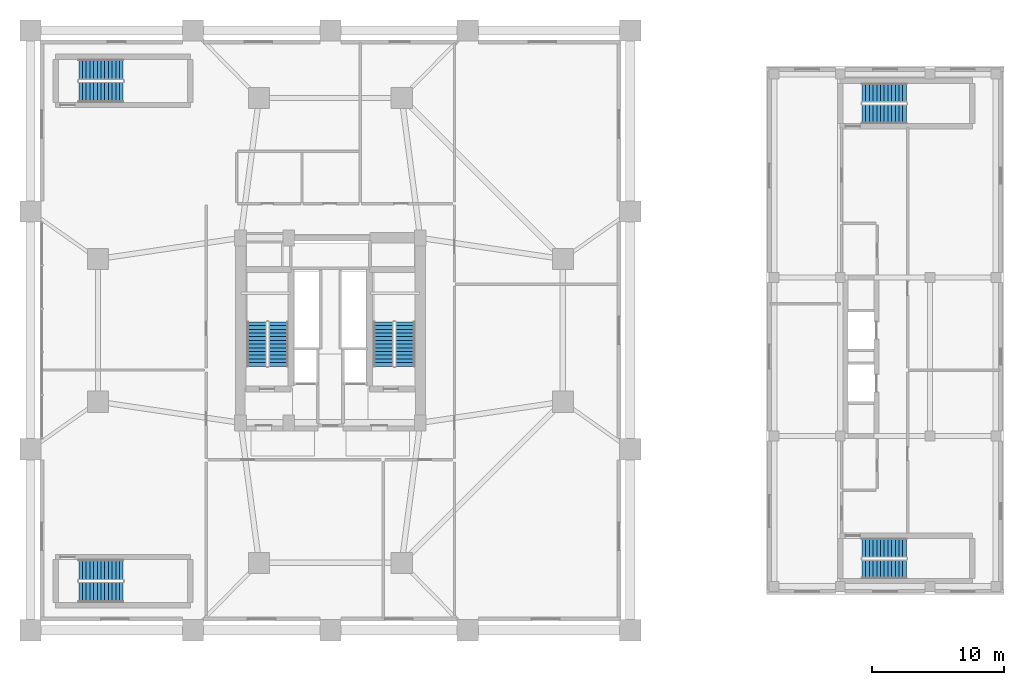
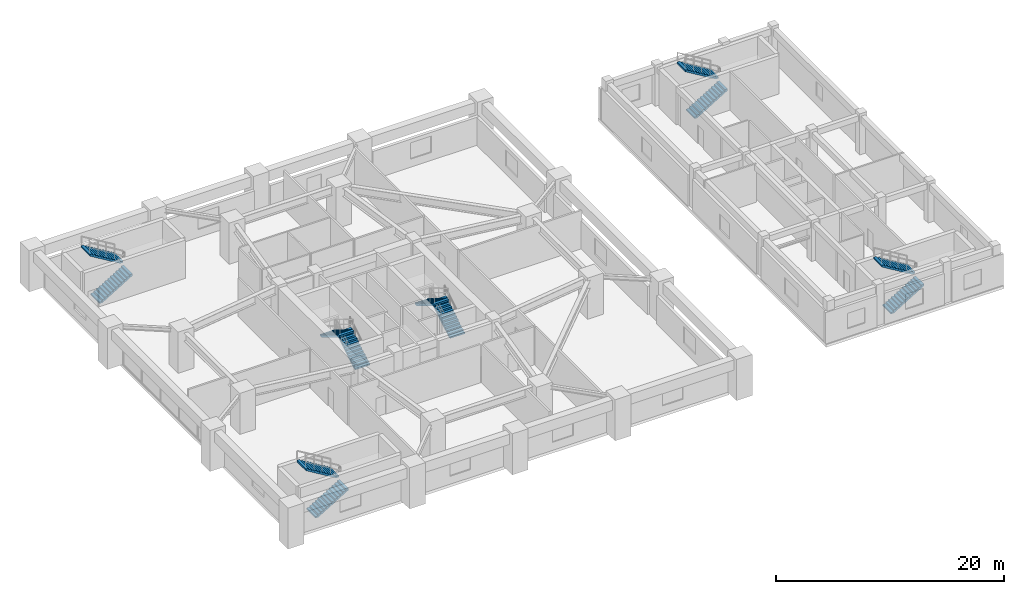
# One storey, part 12 of 16: 12 stair flights, 6 elements without a shape of their own.
"""IFC4 building model written with IfcOpenShell, lengths in metres."""

from ifc_helpers import new_model, si_unit, direction, frame, origin, place, context, subcontext, project, spatial, polyline, outline, extrude, material, type_object, element, aggregate, save


model = new_model("IFC4")

# Units and contexts
model_context = context("Model", 3, precision=1e-05, world=origin(), true_north=direction((0.0, 1.0)))
body_context = subcontext(model_context, "Body", "Model", "MODEL_VIEW")
ifc_project = project(units=[si_unit("LENGTHUNIT", "METRE"), si_unit("AREAUNIT", "SQUARE_METRE"), si_unit("VOLUMEUNIT", "CUBIC_METRE"), si_unit("PLANEANGLEUNIT", "RADIAN"), si_unit("MASSUNIT", "GRAM", prefix="KILO")], contexts=[model_context])

# Site, building, storey
site_placement = place(None, origin())
site = spatial("IfcSite", under=ifc_project, at=site_placement, CompositionType="ELEMENT")
building_placement = place(site_placement, origin())
building = spatial("IfcBuilding", under=site, at=building_placement, Name="Veraguas Prism Commons", CompositionType="ELEMENT")
storey_placement = place(building_placement, frame((0.0, 0.0, 9.60009765625)))
storey = spatial("IfcBuildingStorey", under=building, at=storey_placement, Name="L02", CompositionType="ELEMENT", Elevation=9.60009765625)

# Stair, stair flights
ifc_material = material(Name="Precast concrete C45/55", Category="concrete")
stair_type_1 = type_object("IfcStairType", Name="Dogleg Core Stair 1450W 26R 14", PredefinedType="HALF_TURN_STAIR", material=ifc_material)
stair_1_placement = place(storey_placement, origin())
stair_1 = element("IfcStair", 1, at=stair_1_placement, inside=storey, type_object=stair_type_1, Name="Protected Exit Stair ST-H1 L02", PredefinedType="HALF_TURN_STAIR")
stair_flight_type_1 = type_object("IfcStairFlightType", Name="Precast Stair Flight 1450W 13R 14", PredefinedType="STRAIGHT", material=ifc_material)
stair_flight_1_placement = place(storey_placement, frame((64.25, 5.925048828125, 0.0), z_axis=(0.0, 0.0, 1.0), x_axis=(1.0, 0.0, 0.0)))
stair_flight_1 = element("IfcStairFlight", 2, at=stair_flight_1_placement, type_object=stair_flight_type_1, Name="ST-14 Flight 1", NumberOfRisers=13, NumberOfTreads=12, PredefinedType="STRAIGHT", RiserHeight=0.169230769, TreadLength=0.28, context=body_context, shape_type="SweptSolid", body=[
    extrude(outline(polyline([(0.0, 0.0), (0.0, 0.169189453125), (0.280029296875, 0.169189453125), (0.280029296875, 0.33837890625), (0.56005859375, 0.33837890625), (0.56005859375, 0.5078125), (0.840087890625, 0.5078125), (0.840087890625, 0.677001953125), (1.1201171875, 0.677001953125), (1.1201171875, 0.84619140625), (1.39990234375, 0.84619140625), (1.39990234375, 1.015380859375), (1.679931640625, 1.015380859375), (1.679931640625, 1.1845703125), (1.9599609375, 1.1845703125), (1.9599609375, 1.353759765625), (2.239990234375, 1.353759765625), (2.239990234375, 1.523193359375), (2.52001953125, 1.523193359375), (2.52001953125, 1.6923828125), (2.800048828125, 1.6923828125), (2.800048828125, 1.861572265625), (3.080078125, 1.861572265625), (3.080078125, 2.03076171875), (3.360107421875, 2.03076171875), (3.360107421875, 2.199951171875), (3.360107421875, 1.855712890625), (0.289794921875, 0.0), (0.0, 0.0)])), frame((0.0, 0.72509765625, 0.0), z_axis=(0.0, -1.0, 0.0), x_axis=(1.0, 0.0, 0.0)), (0.0, 0.0, 1.0), 1.449951171875),
])
stair_flight_2_placement = place(storey_placement, frame((67.610107421875, 7.52490234375, 2.199951171875), z_axis=(0.0, 0.0, 1.0), x_axis=(-1.0, 0.0, 0.0)))
stair_flight_2 = element("IfcStairFlight", 3, at=stair_flight_2_placement, type_object=stair_flight_type_1, Name="ST-14 Flight 2", NumberOfRisers=13, NumberOfTreads=12, PredefinedType="STRAIGHT", RiserHeight=0.169230769, TreadLength=0.28, context=body_context, shape_type="SweptSolid", body=[
    extrude(outline(polyline([(0.0, 0.0), (0.0, 0.169189453125), (0.280029296875, 0.169189453125), (0.280029296875, 0.33837890625), (0.56005859375, 0.33837890625), (0.56005859375, 0.5078125), (0.840087890625, 0.5078125), (0.840087890625, 0.677001953125), (1.1201171875, 0.677001953125), (1.1201171875, 0.84619140625), (1.39990234375, 0.84619140625), (1.39990234375, 1.015380859375), (1.679931640625, 1.015380859375), (1.679931640625, 1.1845703125), (1.9599609375, 1.1845703125), (1.9599609375, 1.353759765625), (2.239990234375, 1.353759765625), (2.239990234375, 1.523193359375), (2.52001953125, 1.523193359375), (2.52001953125, 1.6923828125), (2.800048828125, 1.6923828125), (2.800048828125, 1.861572265625), (3.080078125, 1.861572265625), (3.080078125, 2.03076171875), (3.360107421875, 2.03076171875), (3.360107421875, 2.199951171875), (3.360107421875, 1.855712890625), (0.289794921875, 0.0), (0.0, 0.0)])), frame((0.0, 0.72509765625, 0.0), z_axis=(0.0, -1.0, 0.0), x_axis=(1.0, 0.0, 0.0)), (0.0, 0.0, 1.0), 1.449951171875),
])
aggregate(stair_1, [stair_flight_1, stair_flight_2])

stair_2_placement = place(storey_placement, origin())
stair_2 = element("IfcStair", 4, at=stair_2_placement, inside=storey, type_object=stair_type_1, Name="Protected Exit Stair ST-H2 L02", PredefinedType="HALF_TURN_STAIR")
stair_flight_3_placement = place(storey_placement, frame((64.25, 40.385009765625, 0.0), z_axis=(0.0, 0.0, 1.0), x_axis=(1.0, 0.0, 0.0)))
stair_flight_3 = element("IfcStairFlight", 5, at=stair_flight_3_placement, type_object=stair_flight_type_1, Name="ST-14 Flight 1", NumberOfRisers=13, NumberOfTreads=12, PredefinedType="STRAIGHT", RiserHeight=0.169230769, TreadLength=0.28, context=body_context, shape_type="SweptSolid", body=[
    extrude(outline(polyline([(0.0, 0.0), (0.0, 0.169189453125), (0.280029296875, 0.169189453125), (0.280029296875, 0.33837890625), (0.56005859375, 0.33837890625), (0.56005859375, 0.5078125), (0.840087890625, 0.5078125), (0.840087890625, 0.677001953125), (1.1201171875, 0.677001953125), (1.1201171875, 0.84619140625), (1.39990234375, 0.84619140625), (1.39990234375, 1.015380859375), (1.679931640625, 1.015380859375), (1.679931640625, 1.1845703125), (1.9599609375, 1.1845703125), (1.9599609375, 1.353759765625), (2.239990234375, 1.353759765625), (2.239990234375, 1.523193359375), (2.52001953125, 1.523193359375), (2.52001953125, 1.6923828125), (2.800048828125, 1.6923828125), (2.800048828125, 1.861572265625), (3.080078125, 1.861572265625), (3.080078125, 2.03076171875), (3.360107421875, 2.03076171875), (3.360107421875, 2.199951171875), (3.360107421875, 1.855712890625), (0.289794921875, 0.0), (0.0, 0.0)])), frame((0.0, 0.72509765625, 0.0), z_axis=(0.0, -1.0, 0.0), x_axis=(1.0, 0.0, 0.0)), (0.0, 0.0, 1.0), 1.449951171875),
])
stair_flight_4_placement = place(storey_placement, frame((67.610107421875, 41.985107421875, 2.199951171875), z_axis=(0.0, 0.0, 1.0), x_axis=(-1.0, 0.0, 0.0)))
stair_flight_4 = element("IfcStairFlight", 6, at=stair_flight_4_placement, type_object=stair_flight_type_1, Name="ST-14 Flight 2", NumberOfRisers=13, NumberOfTreads=12, PredefinedType="STRAIGHT", RiserHeight=0.169230769, TreadLength=0.28, context=body_context, shape_type="SweptSolid", body=[
    extrude(outline(polyline([(0.0, 0.0), (0.0, 0.169189453125), (0.280029296875, 0.169189453125), (0.280029296875, 0.33837890625), (0.56005859375, 0.33837890625), (0.56005859375, 0.5078125), (0.840087890625, 0.5078125), (0.840087890625, 0.677001953125), (1.1201171875, 0.677001953125), (1.1201171875, 0.84619140625), (1.39990234375, 0.84619140625), (1.39990234375, 1.015380859375), (1.679931640625, 1.015380859375), (1.679931640625, 1.1845703125), (1.9599609375, 1.1845703125), (1.9599609375, 1.353759765625), (2.239990234375, 1.353759765625), (2.239990234375, 1.523193359375), (2.52001953125, 1.523193359375), (2.52001953125, 1.6923828125), (2.800048828125, 1.6923828125), (2.800048828125, 1.861572265625), (3.080078125, 1.861572265625), (3.080078125, 2.03076171875), (3.360107421875, 2.03076171875), (3.360107421875, 2.199951171875), (3.360107421875, 1.855712890625), (0.289794921875, 0.0), (0.0, 0.0)])), frame((0.0, 0.72509765625, 0.0), z_axis=(0.0, -1.0, 0.0), x_axis=(1.0, 0.0, 0.0)), (0.0, 0.0, 1.0), 1.449951171875),
])
aggregate(stair_2, [stair_flight_3, stair_flight_4])

stair_type_2 = type_object("IfcStairType", Name="Dogleg Core Stair 1480W 26R 03", PredefinedType="HALF_TURN_STAIR", material=ifc_material)
stair_3_placement = place(storey_placement, origin())
stair_3 = element("IfcStair", 7, at=stair_3_placement, inside=storey, type_object=stair_type_2, Name="Protected Exit Stair ST-01 L02", PredefinedType="HALF_TURN_STAIR")
stair_flight_type_2 = type_object("IfcStairFlightType", Name="Precast Stair Flight 1480W 13R 03", PredefinedType="STRAIGHT", material=ifc_material)
stair_flight_5_placement = place(storey_placement, frame((20.06005859375, 21.280029296875, 0.0), z_axis=(0.0, 0.0, 1.0), x_axis=(0.0, 1.0, 0.0)))
stair_flight_5 = element("IfcStairFlight", 8, at=stair_flight_5_placement, type_object=stair_flight_type_2, Name="ST-03 Flight 1", NumberOfRisers=13, NumberOfTreads=12, PredefinedType="STRAIGHT", RiserHeight=0.169230769, TreadLength=0.28, context=body_context, shape_type="SweptSolid", body=[
    extrude(outline(polyline([(0.0, 0.0), (0.0, 0.169189453125), (0.280029296875, 0.169189453125), (0.280029296875, 0.33837890625), (0.56005859375, 0.33837890625), (0.56005859375, 0.5078125), (0.840087890625, 0.5078125), (0.840087890625, 0.677001953125), (1.1201171875, 0.677001953125), (1.1201171875, 0.84619140625), (1.39990234375, 0.84619140625), (1.39990234375, 1.015380859375), (1.679931640625, 1.015380859375), (1.679931640625, 1.1845703125), (1.9599609375, 1.1845703125), (1.9599609375, 1.353759765625), (2.239990234375, 1.353759765625), (2.239990234375, 1.523193359375), (2.52001953125, 1.523193359375), (2.52001953125, 1.6923828125), (2.800048828125, 1.6923828125), (2.800048828125, 1.861572265625), (3.080078125, 1.861572265625), (3.080078125, 2.03076171875), (3.360107421875, 2.03076171875), (3.360107421875, 2.199951171875), (3.360107421875, 1.855712890625), (0.289794921875, 0.0), (0.0, 0.0)])), frame((0.0, 0.739990234375, 0.0), z_axis=(0.0, -1.0, 0.0), x_axis=(1.0, 0.0, 0.0)), (0.0, 0.0, 1.0), 1.47998046875),
])
stair_flight_6_placement = place(storey_placement, frame((18.429931640625, 24.639892578125, 2.199951171875), z_axis=(0.0, 0.0, 1.0), x_axis=(0.0, -1.0, 0.0)))
stair_flight_6 = element("IfcStairFlight", 9, at=stair_flight_6_placement, type_object=stair_flight_type_2, Name="ST-03 Flight 2", NumberOfRisers=13, NumberOfTreads=12, PredefinedType="STRAIGHT", RiserHeight=0.169230769, TreadLength=0.28, context=body_context, shape_type="SweptSolid", body=[
    extrude(outline(polyline([(0.0, 0.0), (0.0, 0.169189453125), (0.280029296875, 0.169189453125), (0.280029296875, 0.33837890625), (0.56005859375, 0.33837890625), (0.56005859375, 0.5078125), (0.840087890625, 0.5078125), (0.840087890625, 0.677001953125), (1.1201171875, 0.677001953125), (1.1201171875, 0.84619140625), (1.39990234375, 0.84619140625), (1.39990234375, 1.015380859375), (1.679931640625, 1.015380859375), (1.679931640625, 1.1845703125), (1.9599609375, 1.1845703125), (1.9599609375, 1.353759765625), (2.239990234375, 1.353759765625), (2.239990234375, 1.523193359375), (2.52001953125, 1.523193359375), (2.52001953125, 1.6923828125), (2.800048828125, 1.6923828125), (2.800048828125, 1.861572265625), (3.080078125, 1.861572265625), (3.080078125, 2.03076171875), (3.360107421875, 2.03076171875), (3.360107421875, 2.199951171875), (3.360107421875, 1.855712890625), (0.289794921875, 0.0), (0.0, 0.0)])), frame((0.0, 0.739990234375, 0.0), z_axis=(0.0, -1.0, 0.0), x_axis=(1.0, 0.0, 0.0)), (0.0, 0.0, 1.0), 1.47998046875),
])
aggregate(stair_3, [stair_flight_5, stair_flight_6])

stair_4_placement = place(storey_placement, origin())
stair_4 = element("IfcStair", 10, at=stair_4_placement, inside=storey, type_object=stair_type_2, Name="Protected Exit Stair ST-02 L02", PredefinedType="HALF_TURN_STAIR")
stair_flight_7_placement = place(storey_placement, frame((29.659912109375, 21.280029296875, 0.0), z_axis=(0.0, 0.0, 1.0), x_axis=(0.0, 1.0, 0.0)))
stair_flight_7 = element("IfcStairFlight", 11, at=stair_flight_7_placement, type_object=stair_flight_type_2, Name="ST-03 Flight 1", NumberOfRisers=13, NumberOfTreads=12, PredefinedType="STRAIGHT", RiserHeight=0.169230769, TreadLength=0.28, context=body_context, shape_type="SweptSolid", body=[
    extrude(outline(polyline([(0.0, 0.0), (0.0, 0.169189453125), (0.280029296875, 0.169189453125), (0.280029296875, 0.33837890625), (0.56005859375, 0.33837890625), (0.56005859375, 0.5078125), (0.840087890625, 0.5078125), (0.840087890625, 0.677001953125), (1.1201171875, 0.677001953125), (1.1201171875, 0.84619140625), (1.39990234375, 0.84619140625), (1.39990234375, 1.015380859375), (1.679931640625, 1.015380859375), (1.679931640625, 1.1845703125), (1.9599609375, 1.1845703125), (1.9599609375, 1.353759765625), (2.239990234375, 1.353759765625), (2.239990234375, 1.523193359375), (2.52001953125, 1.523193359375), (2.52001953125, 1.6923828125), (2.800048828125, 1.6923828125), (2.800048828125, 1.861572265625), (3.080078125, 1.861572265625), (3.080078125, 2.03076171875), (3.360107421875, 2.03076171875), (3.360107421875, 2.199951171875), (3.360107421875, 1.855712890625), (0.289794921875, 0.0), (0.0, 0.0)])), frame((0.0, 0.739990234375, 0.0), z_axis=(0.0, -1.0, 0.0), x_axis=(1.0, 0.0, 0.0)), (0.0, 0.0, 1.0), 1.47998046875),
])
stair_flight_8_placement = place(storey_placement, frame((28.030029296875, 24.639892578125, 2.199951171875), z_axis=(0.0, 0.0, 1.0), x_axis=(0.0, -1.0, 0.0)))
stair_flight_8 = element("IfcStairFlight", 12, at=stair_flight_8_placement, type_object=stair_flight_type_2, Name="ST-03 Flight 2", NumberOfRisers=13, NumberOfTreads=12, PredefinedType="STRAIGHT", RiserHeight=0.169230769, TreadLength=0.28, context=body_context, shape_type="SweptSolid", body=[
    extrude(outline(polyline([(0.0, 0.0), (0.0, 0.169189453125), (0.280029296875, 0.169189453125), (0.280029296875, 0.33837890625), (0.56005859375, 0.33837890625), (0.56005859375, 0.5078125), (0.840087890625, 0.5078125), (0.840087890625, 0.677001953125), (1.1201171875, 0.677001953125), (1.1201171875, 0.84619140625), (1.39990234375, 0.84619140625), (1.39990234375, 1.015380859375), (1.679931640625, 1.015380859375), (1.679931640625, 1.1845703125), (1.9599609375, 1.1845703125), (1.9599609375, 1.353759765625), (2.239990234375, 1.353759765625), (2.239990234375, 1.523193359375), (2.52001953125, 1.523193359375), (2.52001953125, 1.6923828125), (2.800048828125, 1.6923828125), (2.800048828125, 1.861572265625), (3.080078125, 1.861572265625), (3.080078125, 2.03076171875), (3.360107421875, 2.03076171875), (3.360107421875, 2.199951171875), (3.360107421875, 1.855712890625), (0.289794921875, 0.0), (0.0, 0.0)])), frame((0.0, 0.739990234375, 0.0), z_axis=(0.0, -1.0, 0.0), x_axis=(1.0, 0.0, 0.0)), (0.0, 0.0, 1.0), 1.47998046875),
])
aggregate(stair_4, [stair_flight_7, stair_flight_8])

stair_type_3 = type_object("IfcStairType", Name="Dogleg Core Stair 1550W 26R 11", PredefinedType="HALF_TURN_STAIR", material=ifc_material)
stair_5_placement = place(storey_placement, origin())
stair_5 = element("IfcStair", 13, at=stair_5_placement, inside=storey, type_object=stair_type_3, Name="Protected Exit Stair ST-M1 L02", PredefinedType="HALF_TURN_STAIR")
stair_flight_type_3 = type_object("IfcStairFlightType", Name="Precast Stair Flight 1550W 13R 11", PredefinedType="STRAIGHT", material=ifc_material)
stair_flight_9_placement = place(storey_placement, frame((4.949951171875, 4.175048828125, 0.0), z_axis=(0.0, 0.0, 1.0), x_axis=(1.0, 0.0, 0.0)))
stair_flight_9 = element("IfcStairFlight", 14, at=stair_flight_9_placement, type_object=stair_flight_type_3, Name="ST-11 Flight 1", NumberOfRisers=13, NumberOfTreads=12, PredefinedType="STRAIGHT", RiserHeight=0.169230769, TreadLength=0.28, context=body_context, shape_type="SweptSolid", body=[
    extrude(outline(polyline([(0.0, 0.0), (0.0, 0.169189453125), (0.280029296875, 0.169189453125), (0.280029296875, 0.33837890625), (0.56005859375, 0.33837890625), (0.56005859375, 0.5078125), (0.840087890625, 0.5078125), (0.840087890625, 0.677001953125), (1.1201171875, 0.677001953125), (1.1201171875, 0.84619140625), (1.39990234375, 0.84619140625), (1.39990234375, 1.015380859375), (1.679931640625, 1.015380859375), (1.679931640625, 1.1845703125), (1.9599609375, 1.1845703125), (1.9599609375, 1.353759765625), (2.239990234375, 1.353759765625), (2.239990234375, 1.523193359375), (2.52001953125, 1.523193359375), (2.52001953125, 1.6923828125), (2.800048828125, 1.6923828125), (2.800048828125, 1.861572265625), (3.080078125, 1.861572265625), (3.080078125, 2.03076171875), (3.360107421875, 2.03076171875), (3.360107421875, 2.199951171875), (3.360107421875, 1.855712890625), (0.289794921875, 0.0), (0.0, 0.0)])), frame((0.0, 0.77490234375, 0.0), z_axis=(0.0, -1.0, 0.0), x_axis=(1.0, 0.0, 0.0)), (0.0, 0.0, 1.0), 1.550048828125),
])
stair_flight_10_placement = place(storey_placement, frame((8.31005859375, 5.875, 2.199951171875), z_axis=(0.0, 0.0, 1.0), x_axis=(-1.0, 0.0, 0.0)))
stair_flight_10 = element("IfcStairFlight", 15, at=stair_flight_10_placement, type_object=stair_flight_type_3, Name="ST-11 Flight 2", NumberOfRisers=13, NumberOfTreads=12, PredefinedType="STRAIGHT", RiserHeight=0.169230769, TreadLength=0.28, context=body_context, shape_type="SweptSolid", body=[
    extrude(outline(polyline([(0.0, 0.0), (0.0, 0.169189453125), (0.280029296875, 0.169189453125), (0.280029296875, 0.33837890625), (0.56005859375, 0.33837890625), (0.56005859375, 0.5078125), (0.840087890625, 0.5078125), (0.840087890625, 0.677001953125), (1.1201171875, 0.677001953125), (1.1201171875, 0.84619140625), (1.39990234375, 0.84619140625), (1.39990234375, 1.015380859375), (1.679931640625, 1.015380859375), (1.679931640625, 1.1845703125), (1.9599609375, 1.1845703125), (1.9599609375, 1.353759765625), (2.239990234375, 1.353759765625), (2.239990234375, 1.523193359375), (2.52001953125, 1.523193359375), (2.52001953125, 1.6923828125), (2.800048828125, 1.6923828125), (2.800048828125, 1.861572265625), (3.080078125, 1.861572265625), (3.080078125, 2.03076171875), (3.360107421875, 2.03076171875), (3.360107421875, 2.199951171875), (3.360107421875, 1.855712890625), (0.289794921875, 0.0), (0.0, 0.0)])), frame((0.0, 0.77490234375, 0.0), z_axis=(0.0, -1.0, 0.0), x_axis=(1.0, 0.0, 0.0)), (0.0, 0.0, 1.0), 1.550048828125),
])
aggregate(stair_5, [stair_flight_9, stair_flight_10])

stair_6_placement = place(storey_placement, origin())
stair_6 = element("IfcStair", 16, at=stair_6_placement, inside=storey, type_object=stair_type_3, Name="Protected Exit Stair ST-M2 L02", PredefinedType="HALF_TURN_STAIR")
stair_flight_11_placement = place(storey_placement, frame((4.949951171875, 42.034912109375, 0.0), z_axis=(0.0, 0.0, 1.0), x_axis=(1.0, 0.0, 0.0)))
stair_flight_11 = element("IfcStairFlight", 17, at=stair_flight_11_placement, type_object=stair_flight_type_3, Name="ST-11 Flight 1", NumberOfRisers=13, NumberOfTreads=12, PredefinedType="STRAIGHT", RiserHeight=0.169230769, TreadLength=0.28, context=body_context, shape_type="SweptSolid", body=[
    extrude(outline(polyline([(0.0, 0.0), (0.0, 0.169189453125), (0.280029296875, 0.169189453125), (0.280029296875, 0.33837890625), (0.56005859375, 0.33837890625), (0.56005859375, 0.5078125), (0.840087890625, 0.5078125), (0.840087890625, 0.677001953125), (1.1201171875, 0.677001953125), (1.1201171875, 0.84619140625), (1.39990234375, 0.84619140625), (1.39990234375, 1.015380859375), (1.679931640625, 1.015380859375), (1.679931640625, 1.1845703125), (1.9599609375, 1.1845703125), (1.9599609375, 1.353759765625), (2.239990234375, 1.353759765625), (2.239990234375, 1.523193359375), (2.52001953125, 1.523193359375), (2.52001953125, 1.6923828125), (2.800048828125, 1.6923828125), (2.800048828125, 1.861572265625), (3.080078125, 1.861572265625), (3.080078125, 2.03076171875), (3.360107421875, 2.03076171875), (3.360107421875, 2.199951171875), (3.360107421875, 1.855712890625), (0.289794921875, 0.0), (0.0, 0.0)])), frame((0.0, 0.77490234375, 0.0), z_axis=(0.0, -1.0, 0.0), x_axis=(1.0, 0.0, 0.0)), (0.0, 0.0, 1.0), 1.550048828125),
])
stair_flight_12_placement = place(storey_placement, frame((8.31005859375, 43.735107421875, 2.199951171875), z_axis=(0.0, 0.0, 1.0), x_axis=(-1.0, 0.0, 0.0)))
stair_flight_12 = element("IfcStairFlight", 18, at=stair_flight_12_placement, type_object=stair_flight_type_3, Name="ST-11 Flight 2", NumberOfRisers=13, NumberOfTreads=12, PredefinedType="STRAIGHT", RiserHeight=0.169230769, TreadLength=0.28, context=body_context, shape_type="SweptSolid", body=[
    extrude(outline(polyline([(0.0, 0.0), (0.0, 0.169189453125), (0.280029296875, 0.169189453125), (0.280029296875, 0.33837890625), (0.56005859375, 0.33837890625), (0.56005859375, 0.5078125), (0.840087890625, 0.5078125), (0.840087890625, 0.677001953125), (1.1201171875, 0.677001953125), (1.1201171875, 0.84619140625), (1.39990234375, 0.84619140625), (1.39990234375, 1.015380859375), (1.679931640625, 1.015380859375), (1.679931640625, 1.1845703125), (1.9599609375, 1.1845703125), (1.9599609375, 1.353759765625), (2.239990234375, 1.353759765625), (2.239990234375, 1.523193359375), (2.52001953125, 1.523193359375), (2.52001953125, 1.6923828125), (2.800048828125, 1.6923828125), (2.800048828125, 1.861572265625), (3.080078125, 1.861572265625), (3.080078125, 2.03076171875), (3.360107421875, 2.03076171875), (3.360107421875, 2.199951171875), (3.360107421875, 1.855712890625), (0.289794921875, 0.0), (0.0, 0.0)])), frame((0.0, 0.77490234375, 0.0), z_axis=(0.0, -1.0, 0.0), x_axis=(1.0, 0.0, 0.0)), (0.0, 0.0, 1.0), 1.550048828125),
])
aggregate(stair_6, [stair_flight_11, stair_flight_12])

save(model, "model.ifc")
